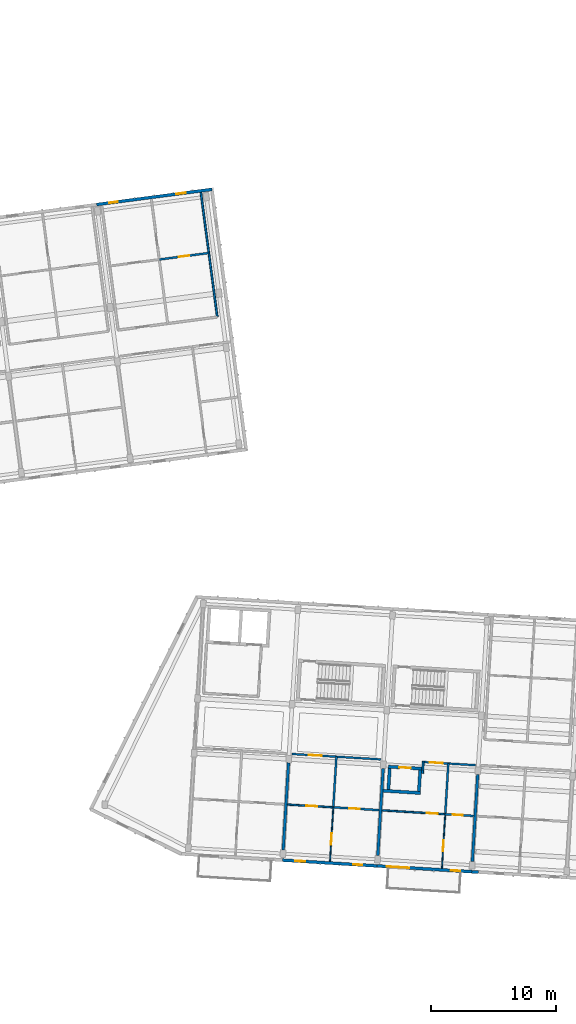
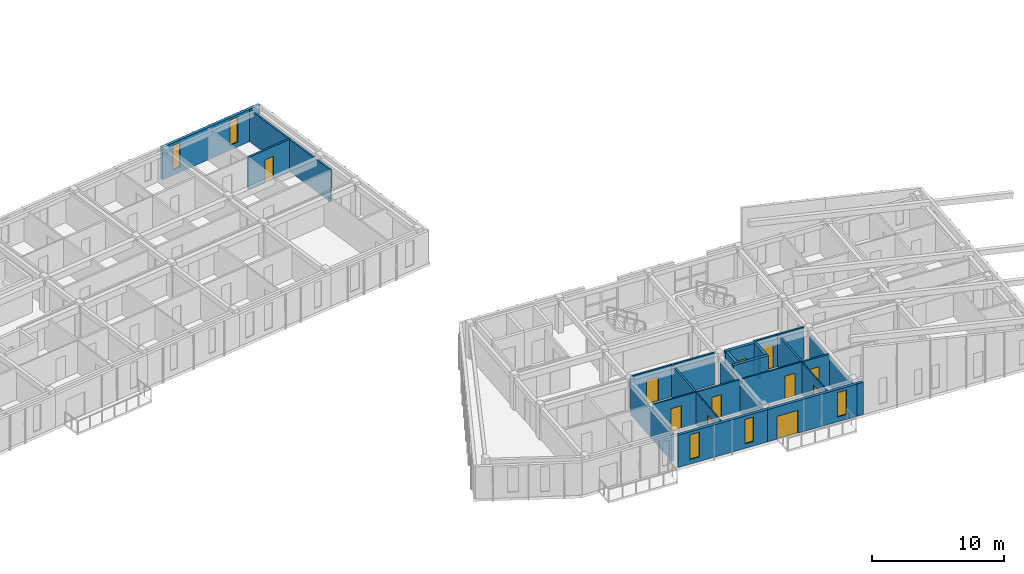
# One storey, part 24 of 56: 24 walls, 11 doors, 5 windows, 16 openings.
"""IFC4 building model written with IfcOpenShell, lengths in metres."""

from ifc_helpers import new_model, si_unit, direction, frame, frame_2d, origin, place, context, subcontext, project, spatial, rectangle, extrude, material, layer, layer_set, type_object, element, fill, save


model = new_model("IFC4")

# Units and contexts
model_context = context("Model", 3, precision=1e-05, world=origin(), true_north=direction((0.0, 1.0)))
body_context = subcontext(model_context, "Body", "Model", "MODEL_VIEW")
ifc_project = project(units=[si_unit("LENGTHUNIT", "METRE"), si_unit("AREAUNIT", "SQUARE_METRE"), si_unit("VOLUMEUNIT", "CUBIC_METRE"), si_unit("PLANEANGLEUNIT", "RADIAN"), si_unit("MASSUNIT", "GRAM", prefix="KILO")], contexts=[model_context])

# Site, building, storey
site_placement = place(None, origin())
site = spatial("IfcSite", under=ifc_project, at=site_placement, CompositionType="ELEMENT")
building_placement = place(site_placement, origin())
building = spatial("IfcBuilding", under=site, at=building_placement, Name="Kestramere Prow Commons", CompositionType="ELEMENT")
storey_placement = place(building_placement, frame((0.0, 0.0, 27.89990234375)))
storey = spatial("IfcBuildingStorey", under=building, at=storey_placement, Name="L08", CompositionType="ELEMENT", Elevation=27.89990234375)

# Wall, openings, windows
ifc_material_1 = material(Name="Fluoropolymer Standing-Seam Zinc-Aluminium Cladding", Category="aluminium")
ifc_layer_1 = layer(ifc_material_1, 0.239990234375)
ifc_layer_set_1 = layer_set([ifc_layer_1], Name="Fluoropolymer Standing-Seam Zinc-Aluminium Cladding")
wall_type_1 = type_object("IfcWallType", Name="EW-SEAM-240", PredefinedType="SOLIDWALL", material=ifc_layer_set_1)
wall_1_placement = place(storey_placement, frame((52.14453125, 98.092529296875, 0.0), z_axis=(0.0, 0.0, 1.0), x_axis=(0.991442885224, 0.130541201693, 0.0)))
wall_1 = element("IfcWall", 1, at=wall_1_placement, inside=storey, type_object=wall_type_1, Name="Block A L08 North Standing-Seam Wall 6", PredefinedType="SOLIDWALL", context=body_context, shape_type="SweptSolid", body=[
    extrude(rectangle(XDim=9.324951171875, YDim=0.239990234375, at=frame_2d((4.66259765625, 0.0))), origin(), (0.0, 0.0, 1.0), 3.0),
])
opening_1_placement = place(wall_1_placement, frame((1.0126953125, 0.0, 0.5)))
opening_1 = element("IfcOpeningElement", 2, at=opening_1_placement, cuts=wall_1, Name="Opening WN-06", PredefinedType="OPENING", context=body_context, shape_type="SweptSolid", body=[
    extrude(rectangle(XDim=0.679931640625, YDim=2.239990234375, at=frame_2d((0.33984375, 1.1201171875))), frame((0.0, 0.135009765625, 0.0), z_axis=(0.0, -1.0, 0.0), x_axis=(1.0, 0.0, 0.0)), (0.0, 0.0, 1.0), 0.27001953125),
])
opening_2_placement = place(wall_1_placement, frame((6.447998046875, 0.0, 0.43994140625)))
opening_2 = element("IfcOpeningElement", 3, at=opening_2_placement, cuts=wall_1, Name="Opening WN-10", PredefinedType="OPENING", context=body_context, shape_type="SweptSolid", body=[
    extrude(rectangle(XDim=0.760009765625, YDim=2.340087890625, at=frame_2d((0.3798828125, 1.169921875))), frame((0.0, 0.135009765625, 0.0), z_axis=(0.0, -1.0, 0.0), x_axis=(1.0, 0.0, 0.0)), (0.0, 0.0, 1.0), 0.27001953125),
])
ifc_material_2 = material(Name="Low-E Laminated Double Glazing", Category="glass")
window_type_1 = type_object("IfcWindowType", Name="WN-NAR-680A", PartitioningType="SINGLE_PANEL", PredefinedType="WINDOW", material=ifc_material_2)
window_1_placement = place(opening_1_placement, origin())
window_1 = element("IfcWindow", 4, at=window_1_placement, inside=storey, type_object=window_type_1, Name="WN-A-L08-N-5-0", OverallHeight=2.239990234375, OverallWidth=0.679931640625, PartitioningType="SINGLE_PANEL", PredefinedType="WINDOW", context=body_context, shape_type="SweptSolid", body=[
    extrude(rectangle(XDim=0.679931640625, YDim=2.239990234375, at=frame_2d((0.33984375, 1.1201171875))), frame((0.0, 0.030029296875, 0.0), z_axis=(0.0, -1.0, 0.0), x_axis=(1.0, 0.0, 0.0)), (0.0, 0.0, 1.0), 0.06005859375),
])
fill(opening_1, window_1)
window_type_2 = type_object("IfcWindowType", Name="WN-NAR-760A", PartitioningType="SINGLE_PANEL", PredefinedType="WINDOW", material=ifc_material_2)
window_2_placement = place(opening_2_placement, origin())
window_2 = element("IfcWindow", 5, at=window_2_placement, inside=storey, type_object=window_type_2, Name="WN-A-L08-N-5-1", OverallHeight=2.340087890625, OverallWidth=0.760009765625, PartitioningType="SINGLE_PANEL", PredefinedType="WINDOW", context=body_context, shape_type="SweptSolid", body=[
    extrude(rectangle(XDim=0.760009765625, YDim=2.340087890625, at=frame_2d((0.3798828125, 1.169921875))), frame((0.0, 0.030029296875, 0.0), z_axis=(0.0, -1.0, 0.0), x_axis=(1.0, 0.0, 0.0)), (0.0, 0.0, 1.0), 0.06005859375),
])
fill(opening_2, window_2)

wall_2_placement = place(storey_placement, frame((74.6396484375, 45.048095703125, 0.0), z_axis=(0.0, 0.0, 1.0), x_axis=(-0.998135669243, 0.061034300063, 0.0)))
wall_2 = element("IfcWall", 6, at=wall_2_placement, inside=storey, type_object=wall_type_1, Name="Block C L08 South Standing-Seam Wall 2", PredefinedType="SOLIDWALL", context=body_context, shape_type="SweptSolid", body=[
    extrude(rectangle(XDim=7.60009765625, YDim=0.239990234375, at=frame_2d((3.800048828125, 0.0))), origin(), (0.0, 0.0, 1.0), 3.0),
])
opening_3_placement = place(wall_2_placement, frame((1.189208984375, 0.0, 0.419921875)))
opening_3 = element("IfcOpeningElement", 7, at=opening_3_placement, cuts=wall_2, Name="Opening WN-09", PredefinedType="OPENING", context=body_context, shape_type="SweptSolid", body=[
    extrude(rectangle(XDim=0.739990234375, YDim=2.260009765625, at=frame_2d((0.3701171875, 1.1298828125))), frame((0.0, 0.135009765625, 0.0), z_axis=(0.0, -1.0, 0.0), x_axis=(1.0, 0.0, 0.0)), (0.0, 0.0, 1.0), 0.27001953125),
])
opening_4_placement = place(wall_2_placement, frame((5.7822265625, 0.0, 0.419921875)))
opening_4 = element("IfcOpeningElement", 8, at=opening_4_placement, cuts=wall_2, Name="Opening WN-12", PredefinedType="OPENING", context=body_context, shape_type="SweptSolid", body=[
    extrude(rectangle(XDim=0.800048828125, YDim=2.300048828125, at=frame_2d((0.39990234375, 1.14990234375))), frame((0.0, 0.135009765625, 0.0), z_axis=(0.0, -1.0, 0.0), x_axis=(1.0, 0.0, 0.0)), (0.0, 0.0, 1.0), 0.27001953125),
])
window_type_3 = type_object("IfcWindowType", Name="WN-NAR-740A", PartitioningType="SINGLE_PANEL", PredefinedType="WINDOW", material=ifc_material_2)
window_3_placement = place(opening_3_placement, origin())
window_3 = element("IfcWindow", 9, at=window_3_placement, inside=storey, type_object=window_type_3, Name="WN-C-L08-S-1-00", OverallHeight=2.260009765625, OverallWidth=0.739990234375, PartitioningType="SINGLE_PANEL", PredefinedType="WINDOW", context=body_context, shape_type="SweptSolid", body=[
    extrude(rectangle(XDim=0.739990234375, YDim=2.260009765625, at=frame_2d((0.3701171875, 1.1298828125))), frame((0.0, 0.030029296875, 0.0), z_axis=(0.0, -1.0, 0.0), x_axis=(1.0, 0.0, 0.0)), (0.0, 0.0, 1.0), 0.06005859375),
])
fill(opening_3, window_3)
window_type_4 = type_object("IfcWindowType", Name="WN-NAR-800A", PartitioningType="SINGLE_PANEL", PredefinedType="WINDOW", material=ifc_material_2)
window_4_placement = place(opening_4_placement, origin())
window_4 = element("IfcWindow", 10, at=window_4_placement, inside=storey, type_object=window_type_4, Name="WN-C-L08-S-1-10", OverallHeight=2.300048828125, OverallWidth=0.800048828125, PartitioningType="SINGLE_PANEL", PredefinedType="WINDOW", context=body_context, shape_type="SweptSolid", body=[
    extrude(rectangle(XDim=0.800048828125, YDim=2.300048828125, at=frame_2d((0.39990234375, 1.14990234375))), frame((0.0, 0.030029296875, 0.0), z_axis=(0.0, -1.0, 0.0), x_axis=(1.0, 0.0, 0.0)), (0.0, 0.0, 1.0), 0.06005859375),
])
fill(opening_4, window_4)

# Wall, openings, door, window
wall_3_placement = place(storey_placement, frame((82.225341796875, 44.583984375, 0.0), z_axis=(0.0, 0.0, 1.0), x_axis=(-0.998133591969, 0.061068261669, 0.0)))
wall_3 = element("IfcWall", 11, at=wall_3_placement, inside=storey, type_object=wall_type_1, Name="Block C L08 South Standing-Seam Wall 3", PredefinedType="SOLIDWALL", context=body_context, shape_type="SweptSolid", body=[
    extrude(rectangle(XDim=7.599853515625, YDim=0.239990234375, at=frame_2d((3.7998046875, 0.0))), origin(), (0.0, 0.0, 1.0), 3.0),
])
opening_5_placement = place(wall_3_placement, frame((5.01904296875, 0.0, 0.0)))
opening_5 = element("IfcOpeningElement", 12, at=opening_5_placement, cuts=wall_3, Name="Opening GD-BAL-02", PredefinedType="OPENING", context=body_context, shape_type="SweptSolid", body=[
    extrude(rectangle(XDim=1.800048828125, YDim=2.1201171875, at=frame_2d((0.89990234375, 1.06005859375))), frame((0.0, 0.135009765625, 0.0), z_axis=(0.0, -1.0, 0.0), x_axis=(1.0, 0.0, 0.0)), (0.0, 0.0, 1.0), 0.27001953125),
])
opening_6_placement = place(wall_3_placement, frame((0.929931640625, 0.0, 0.4599609375)))
opening_6 = element("IfcOpeningElement", 13, at=opening_6_placement, cuts=wall_3, Name="Opening WN-09", PredefinedType="OPENING", context=body_context, shape_type="SweptSolid", body=[
    extrude(rectangle(XDim=0.739990234375, YDim=2.260009765625, at=frame_2d((0.3701171875, 1.1298828125))), frame((0.0, 0.135009765625, 0.0), z_axis=(0.0, -1.0, 0.0), x_axis=(1.0, 0.0, 0.0)), (0.0, 0.0, 1.0), 0.27001953125),
])
ifc_material_3 = material(Name="Thermally-Broken Anodised Aluminium Glazed", Category="aluminium")
door_type_1 = type_object("IfcDoorType", Name="GD-BAL-1800", OperationType="SLIDING_TO_LEFT", PredefinedType="DOOR", material=ifc_material_3)
door_1_placement = place(opening_5_placement, origin())
door_1 = element("IfcDoor", 14, at=door_1_placement, inside=storey, type_object=door_type_1, Name="Block C L08 Balcony Door 3", OperationType="SLIDING_TO_LEFT", OverallHeight=2.1201171875, OverallWidth=1.800048828125, PredefinedType="DOOR", context=body_context, shape_type="SweptSolid", body=[
    extrude(rectangle(XDim=1.800048828125, YDim=2.1201171875, at=frame_2d((0.89990234375, 1.06005859375))), frame((0.0, 0.02490234375, 0.0), z_axis=(0.0, -1.0, 0.0), x_axis=(1.0, 0.0, 0.0)), (0.0, 0.0, 1.0), 0.050048828125),
])
fill(opening_5, door_1)
window_5_placement = place(opening_6_placement, origin())
window_5 = element("IfcWindow", 15, at=window_5_placement, inside=storey, type_object=window_type_3, Name="WN-C-L08-SR-2", OverallHeight=2.260009765625, OverallWidth=0.739990234375, PartitioningType="SINGLE_PANEL", PredefinedType="WINDOW", context=body_context, shape_type="SweptSolid", body=[
    extrude(rectangle(XDim=0.739990234375, YDim=2.260009765625, at=frame_2d((0.3701171875, 1.1298828125))), frame((0.0, 0.030029296875, 0.0), z_axis=(0.0, -1.0, 0.0), x_axis=(1.0, 0.0, 0.0)), (0.0, 0.0, 1.0), 0.06005859375),
])
fill(opening_6, window_5)

# Wall
wall_4_placement = place(storey_placement, frame((82.74951171875, 44.552001953125, 0.0), z_axis=(0.0, 0.0, 1.0), x_axis=(-0.998143743648, 0.060902110115, 0.0)))
element("IfcWall", 16, at=wall_4_placement, inside=storey, type_object=wall_type_1, Name="Block C L08 South Step-Back Spandrel Wall 4", PredefinedType="SOLIDWALL", context=body_context, shape_type="SweptSolid", body=[
    extrude(rectangle(XDim=0.525146484375, YDim=0.239990234375, at=frame_2d((0.2626953125, 0.0))), origin(), (0.0, 0.0, 1.0), 3.0),
])

# Wall, opening, door
ifc_material_4 = material(Name="Fire-Rated Calcium Silicate Wall")
ifc_layer_2 = layer(ifc_material_4, 0.155029296875)
ifc_layer_set_2 = layer_set([ifc_layer_2], Name="Fire-Rated Calcium Silicate Wall")
wall_type_2 = type_object("IfcWallType", Name="W-FIRE-150", PredefinedType="PARTITIONING", material=ifc_layer_set_2)
wall_5_placement = place(storey_placement, frame((67.81005859375, 54.026611328125, 0.0), z_axis=(0.0, 0.0, 1.0), x_axis=(0.998136655722, -0.061018165369, 0.0)))
wall_5 = element("IfcWall", 17, at=wall_5_placement, inside=storey, type_object=wall_type_2, Name="Interior Partition PW-C-L08-CS-1", PredefinedType="PARTITIONING", context=body_context, shape_type="SweptSolid", body=[
    extrude(rectangle(XDim=7.1298828125, YDim=0.155029296875, at=frame_2d((3.56494140625, 0.0))), origin(), (0.0, 0.0, 1.0), 2.97021484375),
])
opening_7_placement = place(wall_5_placement, frame((1.35498046875, 0.0, 0.0)))
opening_7 = element("IfcOpeningElement", 18, at=opening_7_placement, cuts=wall_5, Name="Opening ID-05", PredefinedType="OPENING", context=body_context, shape_type="SweptSolid", body=[
    extrude(rectangle(XDim=1.02001953125, YDim=2.199951171875, at=frame_2d((0.510009765625, 1.10009765625))), frame((0.0, 0.092529296875, 0.0), z_axis=(0.0, -1.0, 0.0), x_axis=(1.0, 0.0, 0.0)), (0.0, 0.0, 1.0), 0.18505859375),
])
ifc_material_5 = material(Name="Hardwood Fire-Rated Flat Entrance Door", Category="wood")
door_type_2 = type_object("IfcDoorType", Name="FD-ENT-02", OperationType="NOTDEFINED", PredefinedType="DOOR", material=ifc_material_5)
door_2_placement = place(opening_7_placement, origin())
door_2 = element("IfcDoor", 19, at=door_2_placement, inside=storey, type_object=door_type_2, Name="Interior Door DR-C-L08-ENT-S1", OperationType="SINGLE_SWING_RIGHT", OverallHeight=2.199951171875, OverallWidth=1.02001953125, PredefinedType="DOOR", context=body_context, shape_type="SweptSolid", body=[
    extrude(rectangle(XDim=1.02001953125, YDim=2.199951171875, at=frame_2d((0.510009765625, 1.10009765625))), frame((0.0, 0.02490234375, 0.0), z_axis=(0.0, -1.0, 0.0), x_axis=(1.0, 0.0, 0.0)), (0.0, 0.0, 1.0), 0.050048828125),
])
fill(opening_7, door_2)

# Wall
wall_6_placement = place(storey_placement, frame((78.279052734375, 52.464599609375, 0.0), z_axis=(0.0, 0.0, 1.0), x_axis=(0.061095097219, 0.998131949742, 0.0)))
element("IfcWall", 20, at=wall_6_placement, inside=storey, type_object=wall_type_2, Name="Interior Partition PW-C-L08-HS-CLOSER", PredefinedType="PARTITIONING", context=body_context, shape_type="SweptSolid", body=[
    extrude(rectangle(XDim=0.9951171875, YDim=0.155029296875, at=frame_2d((0.49755859375, 0.0))), origin(), (0.0, 0.0, 1.0), 2.97021484375),
])

# Wall, opening, door
wall_7_placement = place(storey_placement, frame((78.415283203125, 53.378173828125, 0.0), z_axis=(0.0, 0.0, 1.0), x_axis=(0.998132736029, -0.061082250024, 0.0)))
wall_7 = element("IfcWall", 21, at=wall_7_placement, inside=storey, type_object=wall_type_2, Name="Interior Partition PW-C-L08-CS-2", PredefinedType="PARTITIONING", context=body_context, shape_type="SweptSolid", body=[
    extrude(rectangle(XDim=4.104736328125, YDim=0.155029296875, at=frame_2d((2.05224609375, 0.0))), origin(), (0.0, 0.0, 1.0), 2.97021484375),
])
opening_8_placement = place(wall_7_placement, frame((0.45703125, 0.0, 0.0)))
opening_8 = element("IfcOpeningElement", 22, at=opening_8_placement, cuts=wall_7, Name="Opening ID-05", PredefinedType="OPENING", context=body_context, shape_type="SweptSolid", body=[
    extrude(rectangle(XDim=1.02001953125, YDim=2.199951171875, at=frame_2d((0.510009765625, 1.10009765625))), frame((0.0, 0.092529296875, 0.0), z_axis=(0.0, -1.0, 0.0), x_axis=(1.0, 0.0, 0.0)), (0.0, 0.0, 1.0), 0.18505859375),
])
door_3_placement = place(opening_8_placement, origin())
door_3 = element("IfcDoor", 23, at=door_3_placement, inside=storey, type_object=door_type_2, Name="Interior Door DR-C-L08-ENT-S2", OperationType="SINGLE_SWING_LEFT", OverallHeight=2.199951171875, OverallWidth=1.02001953125, PredefinedType="DOOR", context=body_context, shape_type="SweptSolid", body=[
    extrude(rectangle(XDim=1.02001953125, YDim=2.199951171875, at=frame_2d((0.510009765625, 1.10009765625))), frame((0.0, 0.02490234375, 0.0), z_axis=(0.0, -1.0, 0.0), x_axis=(1.0, 0.0, 0.0)), (0.0, 0.0, 1.0), 0.050048828125),
])
fill(opening_8, door_3)

# Wall
ifc_material_6 = material(Name="Concrete C40/50", Category="concrete")
ifc_layer_3 = layer(ifc_material_6, 0.25)
ifc_layer_set_3 = layer_set([ifc_layer_3], Name="Concrete C40/50")
wall_type_3 = type_object("IfcWallType", Name="W-HS-250", PredefinedType="SHEAR", material=ifc_layer_set_3)
wall_8_placement = place(storey_placement, frame((75.11865234375, 51.080078125, 0.0), z_axis=(0.0, 0.0, 1.0), x_axis=(0.998133370443, -0.061071882298, 0.0)))
element("IfcWall", 24, at=wall_8_placement, inside=storey, type_object=wall_type_3, Name="Block C L08 Household Shelter South Wall", PredefinedType="SHEAR", context=body_context, shape_type="SweptSolid", body=[
    extrude(rectangle(XDim=2.990234375, YDim=0.25, at=frame_2d((1.4951171875, 0.0))), origin(), (0.0, 0.0, 1.0), 3.25),
])

# Wall, opening, door
wall_9_placement = place(storey_placement, frame((75.52734375, 53.0087890625, 0.0), z_axis=(0.0, 0.0, 1.0), x_axis=(0.998129907752, -0.061128448781, 0.0)))
wall_9 = element("IfcWall", 25, at=wall_9_placement, inside=storey, type_object=wall_type_3, Name="Block C L08 Household Shelter North Wall", PredefinedType="SHEAR", context=body_context, shape_type="SweptSolid", body=[
    extrude(rectangle(XDim=2.699951171875, YDim=0.25, at=frame_2d((1.35009765625, 0.0))), origin(), (0.0, 0.0, 1.0), 3.25),
])
opening_9_placement = place(wall_9_placement, frame((0.89990234375, 0.0, 0.0)))
opening_9 = element("IfcOpeningElement", 26, at=opening_9_placement, cuts=wall_9, Name="Opening ID-06", PredefinedType="OPENING", context=body_context, shape_type="SweptSolid", body=[
    extrude(rectangle(XDim=0.89990234375, YDim=2.050048828125, at=frame_2d((0.449951171875, 1.02490234375))), frame((0.0, 0.139892578125, 0.0), z_axis=(0.0, -1.0, 0.0), x_axis=(1.0, 0.0, 0.0)), (0.0, 0.0, 1.0), 0.280029296875),
])
ifc_material_7 = material(Name="Galvanised Steel S275JR Household Shelter Door", Category="steel")
door_type_3 = type_object("IfcDoorType", Name="FD-HS-01", OperationType="NOTDEFINED", PredefinedType="DOOR", material=ifc_material_7)
door_4_placement = place(opening_9_placement, origin())
door_4 = element("IfcDoor", 27, at=door_4_placement, inside=storey, type_object=door_type_3, Name="Block C L08 Household Shelter Blast Door", OperationType="SINGLE_SWING_RIGHT", OverallHeight=2.050048828125, OverallWidth=0.89990234375, PredefinedType="DOOR", context=body_context, shape_type="SweptSolid", body=[
    extrude(rectangle(XDim=0.89990234375, YDim=2.050048828125, at=frame_2d((0.449951171875, 1.02490234375))), frame((0.0, 0.02490234375, 0.0), z_axis=(0.0, -1.0, 0.0), x_axis=(1.0, 0.0, 0.0)), (0.0, 0.0, 1.0), 0.050048828125),
])
fill(opening_9, door_4)

# Walls
wall_10_placement = place(storey_placement, frame((75.54052734375, 51.179443359375, 0.0), z_axis=(0.0, 0.0, 1.0), x_axis=(0.061037062968, 0.998135500293, 0.0)))
element("IfcWall", 28, at=wall_10_placement, inside=storey, type_object=wall_type_3, Name="Block C L08 Household Shelter W Wall", PredefinedType="SHEAR", context=body_context, shape_type="SweptSolid", body=[
    extrude(rectangle(XDim=1.699951171875, YDim=0.25, at=frame_2d((0.85009765625, 0.0))), origin(), (0.0, 0.0, 1.0), 3.25),
])
wall_11_placement = place(storey_placement, frame((77.986083984375, 51.02978515625, 0.0), z_axis=(0.0, 0.0, 1.0), x_axis=(0.061028314627, 0.998136035225, 0.0)))
element("IfcWall", 29, at=wall_11_placement, inside=storey, type_object=wall_type_3, Name="Block C L08 Household Shelter E Wall", PredefinedType="SHEAR", context=body_context, shape_type="SweptSolid", body=[
    extrude(rectangle(XDim=1.7001953125, YDim=0.25, at=frame_2d((0.85009765625, 0.0))), origin(), (0.0, 0.0, 1.0), 3.25),
])

# Wall, opening, door
ifc_material_8 = material(Name="Lightweight Blockwork and Plaster", Category="masonry")
ifc_layer_4 = layer(ifc_material_8, 0.1298828125)
ifc_layer_set_4 = layer_set([ifc_layer_4], Name="Lightweight Blockwork and Plaster")
wall_type_4 = type_object("IfcWallType", Name="W-PART-130", PredefinedType="PARTITIONING", material=ifc_layer_set_4)
wall_12_placement = place(storey_placement, frame((67.441650390625, 49.9716796875, 0.0), z_axis=(0.0, 0.0, 1.0), x_axis=(0.998132682596, -0.061083123148, 0.0)))
wall_12 = element("IfcWall", 30, at=wall_12_placement, inside=storey, type_object=wall_type_4, Name="Interior Partition PW-C-L08-MIDS1-1", PredefinedType="PARTITIONING", context=body_context, shape_type="SweptSolid", body=[
    extrude(rectangle(XDim=3.68505859375, YDim=0.1298828125, at=frame_2d((1.842529296875, 0.0))), origin(), (0.0, 0.0, 1.0), 2.97021484375),
])
opening_10_placement = place(wall_12_placement, frame((1.52490234375, 0.0, 0.0)))
opening_10 = element("IfcOpeningElement", 31, at=opening_10_placement, cuts=wall_12, Name="Opening ID-10", PredefinedType="OPENING", context=body_context, shape_type="SweptSolid", body=[
    extrude(rectangle(XDim=0.8798828125, YDim=2.10009765625, at=frame_2d((0.43994140625, 1.050048828125))), frame((0.0, 0.079833984375, 0.0), z_axis=(0.0, -1.0, 0.0), x_axis=(1.0, 0.0, 0.0)), (0.0, 0.0, 1.0), 0.159912109375),
])
ifc_material_9 = material(Name="Engineered Timber Bedroom Door", Category="wood")
door_type_4 = type_object("IfcDoorType", Name="D-RM-03", OperationType="NOTDEFINED", PredefinedType="DOOR", material=ifc_material_9)
door_5_placement = place(opening_10_placement, origin())
door_5 = element("IfcDoor", 32, at=door_5_placement, inside=storey, type_object=door_type_4, Name="Interior Door DR-C-L08-KL-S1", OperationType="SINGLE_SWING_RIGHT", OverallHeight=2.10009765625, OverallWidth=0.8798828125, PredefinedType="DOOR", context=body_context, shape_type="SweptSolid", body=[
    extrude(rectangle(XDim=0.8798828125, YDim=2.10009765625, at=frame_2d((0.43994140625, 1.050048828125))), frame((0.0, 0.02490234375, 0.0), z_axis=(0.0, -1.0, 0.0), x_axis=(1.0, 0.0, 0.0)), (0.0, 0.0, 1.0), 0.050048828125),
])
fill(opening_10, door_5)

wall_13_placement = place(storey_placement, frame((75.027587890625, 49.507568359375, 0.0), z_axis=(0.0, 0.0, 1.0), x_axis=(0.998135637207, -0.061034823981, 0.0)))
wall_13 = element("IfcWall", 33, at=wall_13_placement, inside=storey, type_object=wall_type_4, Name="Interior Partition PW-C-L08-MIDS1-2", PredefinedType="PARTITIONING", context=body_context, shape_type="SweptSolid", body=[
    extrude(rectangle(XDim=5.080078125, YDim=0.1298828125, at=frame_2d((2.5400390625, 0.0))), origin(), (0.0, 0.0, 1.0), 2.97021484375),
])
opening_11_placement = place(wall_13_placement, frame((3.594970703125, 0.0, 0.0)))
opening_11 = element("IfcOpeningElement", 34, at=opening_11_placement, cuts=wall_13, Name="Opening ID-10", PredefinedType="OPENING", context=body_context, shape_type="SweptSolid", body=[
    extrude(rectangle(XDim=0.8798828125, YDim=2.10009765625, at=frame_2d((0.43994140625, 1.050048828125))), frame((0.0, 0.079833984375, 0.0), z_axis=(0.0, -1.0, 0.0), x_axis=(1.0, 0.0, 0.0)), (0.0, 0.0, 1.0), 0.159912109375),
])
door_6_placement = place(opening_11_placement, origin())
door_6 = element("IfcDoor", 35, at=door_6_placement, inside=storey, type_object=door_type_4, Name="Interior Door DR-C-L08-KL-S2", OperationType="SINGLE_SWING_RIGHT", OverallHeight=2.10009765625, OverallWidth=0.8798828125, PredefinedType="DOOR", context=body_context, shape_type="SweptSolid", body=[
    extrude(rectangle(XDim=0.8798828125, YDim=2.10009765625, at=frame_2d((0.43994140625, 1.050048828125))), frame((0.0, 0.02490234375, 0.0), z_axis=(0.0, -1.0, 0.0), x_axis=(1.0, 0.0, 0.0)), (0.0, 0.0, 1.0), 0.050048828125),
])
fill(opening_11, door_6)

# Wall
ifc_material_10 = material(Name="Masonry Compartment Wall", Category="masonry")
ifc_layer_5 = layer(ifc_material_10, 0.14990234375)
ifc_layer_set_5 = layer_set([ifc_layer_5], Name="Masonry Compartment Wall")
wall_type_5 = type_object("IfcWallType", Name="W-PART-150", PredefinedType="PARTITIONING", material=ifc_layer_set_5)
wall_14_placement = place(storey_placement, frame((61.814697265625, 89.072509765625, 0.0), z_axis=(0.0, 0.0, 1.0), x_axis=(-0.130531024319, 0.991444225204, 0.0)))
element("IfcWall", 36, at=wall_14_placement, inside=storey, type_object=wall_type_5, Name="Interior Partition PW-A-L08-NWR-5", PredefinedType="PARTITIONING", context=body_context, shape_type="SweptSolid", body=[
    extrude(rectangle(XDim=10.070068359375, YDim=0.14990234375, at=frame_2d((5.03515625, 0.0))), origin(), (0.0, 0.0, 1.0), 2.97021484375),
])

# Wall, opening, door
ifc_material_11 = material(Name="Gypsum Acoustic Drywall")
ifc_layer_6 = layer(ifc_material_11, 0.094970703125)
ifc_layer_set_6 = layer_set([ifc_layer_6], Name="Gypsum Acoustic Drywall")
wall_type_6 = type_object("IfcWallType", Name="W-PART-95", PredefinedType="PARTITIONING", material=ifc_layer_set_6)
wall_15_placement = place(storey_placement, frame((70.85498046875, 45.414794921875, 0.0), z_axis=(0.0, 0.0, 1.0), x_axis=(0.061036861365, 0.998135512621, 0.0)))
wall_15 = element("IfcWall", 37, at=wall_15_placement, inside=storey, type_object=wall_type_6, Name="Interior Partition PW-C-L08-LB-S1", PredefinedType="PARTITIONING", context=body_context, shape_type="SweptSolid", body=[
    extrude(rectangle(XDim=4.33984375, YDim=0.094970703125, at=frame_2d((2.169921875, 0.0))), origin(), (0.0, 0.0, 1.0), 2.97021484375),
])
opening_12_placement = place(wall_15_placement, frame((1.35009765625, 0.0, 0.0)))
opening_12 = element("IfcOpeningElement", 38, at=opening_12_placement, cuts=wall_15, Name="Opening ID-08", PredefinedType="OPENING", context=body_context, shape_type="SweptSolid", body=[
    extrude(rectangle(XDim=0.89990234375, YDim=2.10009765625, at=frame_2d((0.449951171875, 1.050048828125))), frame((0.0, 0.0625, 0.0), z_axis=(0.0, -1.0, 0.0), x_axis=(1.0, 0.0, 0.0)), (0.0, 0.0, 1.0), 0.125),
])
ifc_material_12 = material(Name="Engineered Timber Flush Door", Category="wood")
door_type_5 = type_object("IfcDoorType", Name="D-RM-01", OperationType="NOTDEFINED", PredefinedType="DOOR", material=ifc_material_12)
door_7_placement = place(opening_12_placement, origin())
door_7 = element("IfcDoor", 39, at=door_7_placement, inside=storey, type_object=door_type_5, Name="Interior Door DR-C-L08-BED-S1", OperationType="SINGLE_SWING_RIGHT", OverallHeight=2.10009765625, OverallWidth=0.89990234375, PredefinedType="DOOR", context=body_context, shape_type="SweptSolid", body=[
    extrude(rectangle(XDim=0.89990234375, YDim=2.10009765625, at=frame_2d((0.449951171875, 1.050048828125))), frame((0.0, 0.02490234375, 0.0), z_axis=(0.0, -1.0, 0.0), x_axis=(1.0, 0.0, 0.0)), (0.0, 0.0, 1.0), 0.050048828125),
])
fill(opening_12, door_7)

wall_16_placement = place(storey_placement, frame((79.833251953125, 44.86572265625, 0.0), z_axis=(0.0, 0.0, 1.0), x_axis=(0.061036861365, 0.998135512621, 0.0)))
wall_16 = element("IfcWall", 40, at=wall_16_placement, inside=storey, type_object=wall_type_6, Name="Interior Partition PW-C-L08-LB-S2", PredefinedType="PARTITIONING", context=body_context, shape_type="SweptSolid", body=[
    extrude(rectangle(XDim=4.33984375, YDim=0.094970703125, at=frame_2d((2.169921875, 0.0))), origin(), (0.0, 0.0, 1.0), 2.97021484375),
])
opening_13_placement = place(wall_16_placement, frame((1.35009765625, 0.0, 0.0)))
opening_13 = element("IfcOpeningElement", 41, at=opening_13_placement, cuts=wall_16, Name="Opening ID-08", PredefinedType="OPENING", context=body_context, shape_type="SweptSolid", body=[
    extrude(rectangle(XDim=0.89990234375, YDim=2.10009765625, at=frame_2d((0.449951171875, 1.050048828125))), frame((0.0, 0.0625, 0.0), z_axis=(0.0, -1.0, 0.0), x_axis=(1.0, 0.0, 0.0)), (0.0, 0.0, 1.0), 0.125),
])
door_8_placement = place(opening_13_placement, origin())
door_8 = element("IfcDoor", 42, at=door_8_placement, inside=storey, type_object=door_type_5, Name="Interior Door DR-C-L08-BED-S2", OperationType="SINGLE_SWING_LEFT", OverallHeight=2.10009765625, OverallWidth=0.89990234375, PredefinedType="DOOR", context=body_context, shape_type="SweptSolid", body=[
    extrude(rectangle(XDim=0.89990234375, YDim=2.10009765625, at=frame_2d((0.449951171875, 1.050048828125))), frame((0.0, 0.02490234375, 0.0), z_axis=(0.0, -1.0, 0.0), x_axis=(1.0, 0.0, 0.0)), (0.0, 0.0, 1.0), 0.050048828125),
])
fill(opening_13, door_8)

ifc_material_13 = material(Name="Waterproof Sanitary Masonry Wall", Category="masonry")
ifc_layer_7 = layer(ifc_material_13, 0.1650390625)
ifc_layer_set_7 = layer_set([ifc_layer_7], Name="Waterproof Sanitary Masonry Wall")
wall_type_7 = type_object("IfcWallType", Name="W-PLUMB-150", PredefinedType="PLUMBINGWALL", material=ifc_layer_set_7)
wall_17_placement = place(storey_placement, frame((57.162841796875, 93.684814453125, 0.0), z_axis=(0.0, 0.0, 1.0), x_axis=(0.991443516139, 0.130536409887, 0.0)))
wall_17 = element("IfcWall", 43, at=wall_17_placement, inside=storey, type_object=wall_type_7, Name="Interior Partition PW-A-L08-MIDN2-5", PredefinedType="PLUMBINGWALL", context=body_context, shape_type="SweptSolid", body=[
    extrude(rectangle(XDim=4.010009765625, YDim=0.1650390625, at=frame_2d((2.0048828125, 0.0))), origin(), (0.0, 0.0, 1.0), 2.97021484375),
])
opening_14_placement = place(wall_17_placement, frame((1.594970703125, 0.0, 0.0)))
opening_14 = element("IfcOpeningElement", 44, at=opening_14_placement, cuts=wall_17, Name="Opening ID-11", PredefinedType="OPENING", context=body_context, shape_type="SweptSolid", body=[
    extrude(rectangle(XDim=0.820068359375, YDim=2.080078125, at=frame_2d((0.41015625, 1.0400390625))), frame((0.0, 0.097412109375, 0.0), z_axis=(0.0, -1.0, 0.0), x_axis=(1.0, 0.0, 0.0)), (0.0, 0.0, 1.0), 0.195068359375),
])
ifc_material_14 = material(Name="Moisture-Resistant Timber Bathroom Door", Category="wood")
door_type_6 = type_object("IfcDoorType", Name="D-BT-01", OperationType="NOTDEFINED", PredefinedType="DOOR", material=ifc_material_14)
door_9_placement = place(opening_14_placement, origin())
door_9 = element("IfcDoor", 45, at=door_9_placement, inside=storey, type_object=door_type_6, Name="Interior Door DR-A-L08-BTH-N5", OperationType="SINGLE_SWING_RIGHT", OverallHeight=2.080078125, OverallWidth=0.820068359375, PredefinedType="DOOR", context=body_context, shape_type="SweptSolid", body=[
    extrude(rectangle(XDim=0.820068359375, YDim=2.080078125, at=frame_2d((0.41015625, 1.0400390625))), frame((0.0, 0.02490234375, 0.0), z_axis=(0.0, -1.0, 0.0), x_axis=(1.0, 0.0, 0.0)), (0.0, 0.0, 1.0), 0.050048828125),
])
fill(opening_14, door_9)

wall_18_placement = place(storey_placement, frame((71.119873046875, 49.74658203125, 0.0), z_axis=(0.0, 0.0, 1.0), x_axis=(0.998136719672, -0.061017119263, 0.0)))
wall_18 = element("IfcWall", 46, at=wall_18_placement, inside=storey, type_object=wall_type_7, Name="Interior Partition PW-C-L08-MIDS2-1", PredefinedType="PLUMBINGWALL", context=body_context, shape_type="SweptSolid", body=[
    extrude(rectangle(XDim=3.68505859375, YDim=0.1650390625, at=frame_2d((1.842529296875, 0.0))), origin(), (0.0, 0.0, 1.0), 2.97021484375),
])
opening_15_placement = place(wall_18_placement, frame((1.300048828125, 0.0, 0.0)))
opening_15 = element("IfcOpeningElement", 47, at=opening_15_placement, cuts=wall_18, Name="Opening ID-11", PredefinedType="OPENING", context=body_context, shape_type="SweptSolid", body=[
    extrude(rectangle(XDim=0.820068359375, YDim=2.080078125, at=frame_2d((0.41015625, 1.0400390625))), frame((0.0, 0.097412109375, 0.0), z_axis=(0.0, -1.0, 0.0), x_axis=(1.0, 0.0, 0.0)), (0.0, 0.0, 1.0), 0.195068359375),
])
door_10_placement = place(opening_15_placement, origin())
door_10 = element("IfcDoor", 48, at=door_10_placement, inside=storey, type_object=door_type_6, Name="Interior Door DR-C-L08-BTH-S1", OperationType="SINGLE_SWING_LEFT", OverallHeight=2.080078125, OverallWidth=0.820068359375, PredefinedType="DOOR", context=body_context, shape_type="SweptSolid", body=[
    extrude(rectangle(XDim=0.820068359375, YDim=2.080078125, at=frame_2d((0.41015625, 1.0400390625))), frame((0.0, 0.02490234375, 0.0), z_axis=(0.0, -1.0, 0.0), x_axis=(1.0, 0.0, 0.0)), (0.0, 0.0, 1.0), 0.050048828125),
])
fill(opening_15, door_10)

# Wall
wall_19_placement = place(storey_placement, frame((71.119873046875, 49.74658203125, 0.0), z_axis=(0.0, 0.0, 1.0), x_axis=(0.061063718724, 0.998133869907, 0.0)))
element("IfcWall", 49, at=wall_19_placement, inside=storey, type_object=wall_type_7, Name="Interior Partition PW-C-L08-KB-S1", PredefinedType="PLUMBINGWALL", context=body_context, shape_type="SweptSolid", body=[
    extrude(rectangle(XDim=4.070068359375, YDim=0.1650390625, at=frame_2d((2.03515625, 0.0))), origin(), (0.0, 0.0, 1.0), 2.97021484375),
])

# Wall, opening, door
wall_20_placement = place(storey_placement, frame((80.09814453125, 49.197509765625, 0.0), z_axis=(0.0, 0.0, 1.0), x_axis=(0.998138723231, -0.060984335579, 0.0)))
wall_20 = element("IfcWall", 50, at=wall_20_placement, inside=storey, type_object=wall_type_7, Name="Interior Partition PW-C-L08-MIDS2-2", PredefinedType="PLUMBINGWALL", context=body_context, shape_type="SweptSolid", body=[
    extrude(rectangle(XDim=2.289794921875, YDim=0.1650390625, at=frame_2d((1.14501953125, 0.0))), origin(), (0.0, 0.0, 1.0), 2.97021484375),
])
opening_16_placement = place(wall_20_placement, frame((0.60302734375, 0.0, 0.0)))
opening_16 = element("IfcOpeningElement", 51, at=opening_16_placement, cuts=wall_20, Name="Opening ID-11", PredefinedType="OPENING", context=body_context, shape_type="SweptSolid", body=[
    extrude(rectangle(XDim=0.820068359375, YDim=2.080078125, at=frame_2d((0.41015625, 1.0400390625))), frame((0.0, 0.097412109375, 0.0), z_axis=(0.0, -1.0, 0.0), x_axis=(1.0, 0.0, 0.0)), (0.0, 0.0, 1.0), 0.195068359375),
])
door_11_placement = place(opening_16_placement, origin())
door_11 = element("IfcDoor", 52, at=door_11_placement, inside=storey, type_object=door_type_6, Name="Interior Door DR-C-L08-BTH-S2", OperationType="SINGLE_SWING_LEFT", OverallHeight=2.080078125, OverallWidth=0.820068359375, PredefinedType="DOOR", context=body_context, shape_type="SweptSolid", body=[
    extrude(rectangle(XDim=0.820068359375, YDim=2.080078125, at=frame_2d((0.41015625, 1.0400390625))), frame((0.0, 0.02490234375, 0.0), z_axis=(0.0, -1.0, 0.0), x_axis=(1.0, 0.0, 0.0)), (0.0, 0.0, 1.0), 0.050048828125),
])
fill(opening_16, door_11)

# Walls
wall_21_placement = place(storey_placement, frame((80.09814453125, 49.197509765625, 0.0), z_axis=(0.0, 0.0, 1.0), x_axis=(0.061063718724, 0.998133869907, 0.0)))
element("IfcWall", 53, at=wall_21_placement, inside=storey, type_object=wall_type_7, Name="Interior Partition PW-C-L08-KB-S2", PredefinedType="PLUMBINGWALL", context=body_context, shape_type="SweptSolid", body=[
    extrude(rectangle(XDim=4.070068359375, YDim=0.1650390625, at=frame_2d((2.03515625, 0.0))), origin(), (0.0, 0.0, 1.0), 2.97021484375),
])
ifc_material_15 = material(Name="Precast concrete C40/50", Category="concrete")
ifc_layer_8 = layer(ifc_material_15, 0.219970703125)
ifc_layer_set_8 = layer_set([ifc_layer_8], Name="Precast concrete C40/50")
wall_type_8 = type_object("IfcWallType", Name="W-XWALL-220", PredefinedType="SHEAR", material=ifc_layer_set_8)
wall_22_placement = place(storey_placement, frame((67.104248046875, 46.33544921875, 0.0), z_axis=(0.0, 0.0, 1.0), x_axis=(0.061034188237, 0.998135676081, 0.0)))
element("IfcWall", 54, at=wall_22_placement, inside=storey, type_object=wall_type_8, Name="Block C L08 Precast Cross-Wall 1", PredefinedType="SHEAR", context=body_context, shape_type="SweptSolid", body=[
    extrude(rectangle(XDim=7.0, YDim=0.219970703125, at=frame_2d((3.5, 0.0))), origin(), (0.0, 0.0, 1.0), 2.5),
])
wall_23_placement = place(storey_placement, frame((74.68994140625, 45.87158203125, 0.0), z_axis=(0.0, 0.0, 1.0), x_axis=(0.061036313012, 0.998135546153, 0.0)))
element("IfcWall", 55, at=wall_23_placement, inside=storey, type_object=wall_type_8, Name="Block C L08 Precast Cross-Wall 2", PredefinedType="SHEAR", context=body_context, shape_type="SweptSolid", body=[
    extrude(rectangle(XDim=6.999755859375, YDim=0.219970703125, at=frame_2d((3.5, 0.0))), origin(), (0.0, 0.0, 1.0), 2.5),
])
wall_24_placement = place(storey_placement, frame((82.27587890625, 45.407470703125, 0.0), z_axis=(0.0, 0.0, 1.0), x_axis=(0.061034188237, 0.998135676081, 0.0)))
element("IfcWall", 56, at=wall_24_placement, inside=storey, type_object=wall_type_8, Name="Block C L08 Precast Cross-Wall 3", PredefinedType="SHEAR", context=body_context, shape_type="SweptSolid", body=[
    extrude(rectangle(XDim=7.0, YDim=0.219970703125, at=frame_2d((3.5, 0.0))), origin(), (0.0, 0.0, 1.0), 2.5),
])

save(model, "model.ifc")
